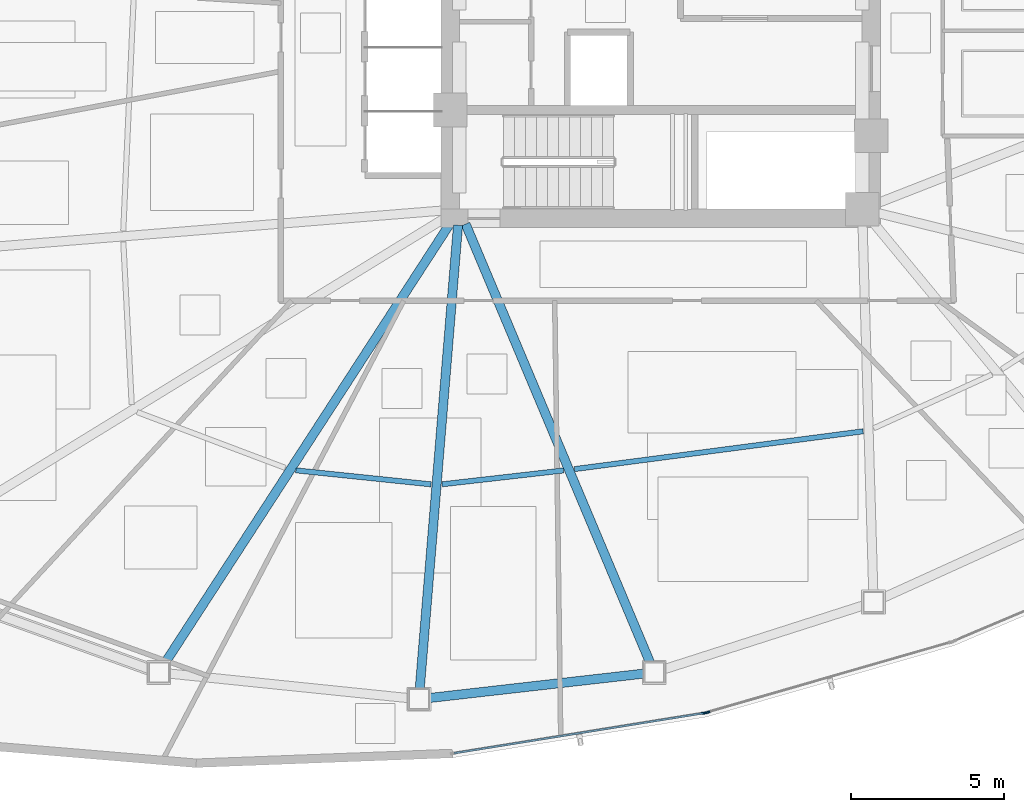
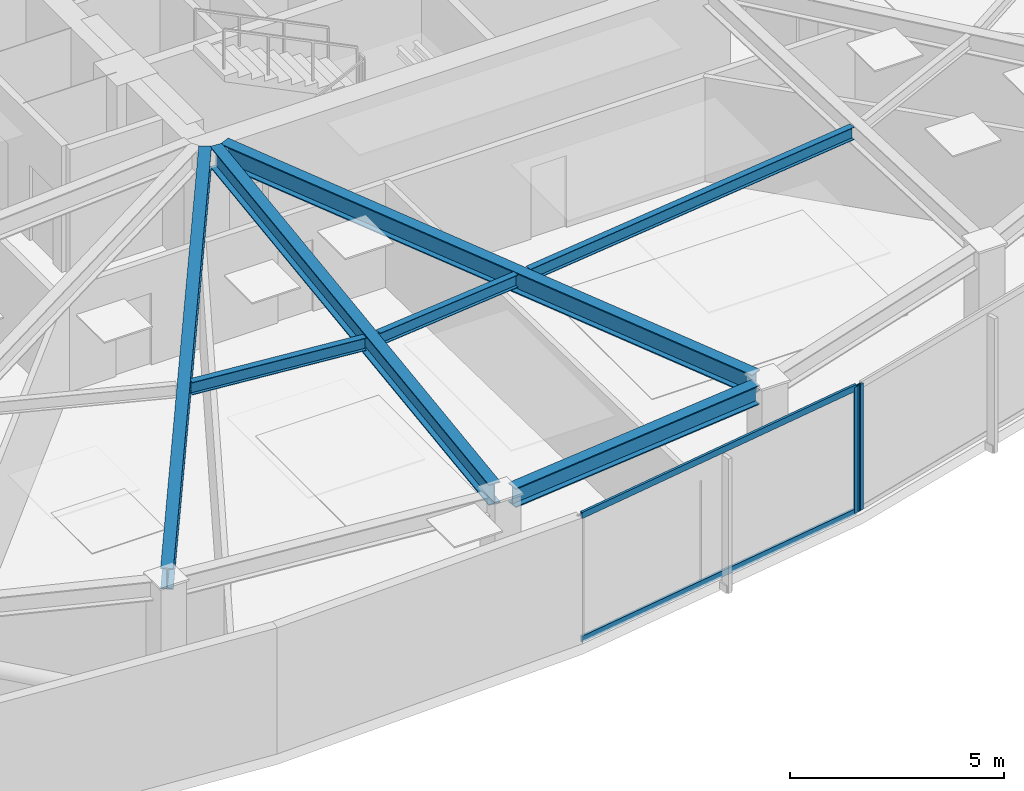
# One storey, part 3 of 17: 7 beams, 4 members, 2 elements without a shape of their own.
"""IFC4 building model written with IfcOpenShell, lengths in metres."""

from ifc_helpers import new_model, si_unit, direction, frame, origin, origin_2d, place, context, subcontext, project, spatial, hollow_rectangle, i_section, extrude, source, transform, mapped, material, layer, layer_set, material_profile, profile_set, type_object, type_shapes, element, aggregate, save


model = new_model("IFC4")

# Units and contexts
model_context = context("Model", 3, precision=1e-05, world=origin(), true_north=direction((0.0, 1.0)))
body_context = subcontext(model_context, "Body", "Model", "MODEL_VIEW")
ifc_project = project(units=[si_unit("LENGTHUNIT", "METRE"), si_unit("AREAUNIT", "SQUARE_METRE"), si_unit("VOLUMEUNIT", "CUBIC_METRE"), si_unit("PLANEANGLEUNIT", "RADIAN"), si_unit("MASSUNIT", "GRAM", prefix="KILO")], contexts=[model_context])

# Site, building, storey
site_placement = place(None, origin())
site = spatial("IfcSite", under=ifc_project, at=site_placement, CompositionType="ELEMENT")
building_placement = place(site_placement, origin())
building = spatial("IfcBuilding", under=site, at=building_placement, Name="Tavelor Broadcast Tower", CompositionType="ELEMENT")
storey_placement = place(building_placement, frame((0.0, 0.0, 78.300048828125)))
storey = spatial("IfcBuildingStorey", under=building, at=storey_placement, Name="L18", CompositionType="ELEMENT", Elevation=78.300048828125)

# Beams
ifc_material_1 = material(Name="Steel S355", Category="steel")
ifc_material_profile_1 = material_profile(ifc_material_1, i_section(OverallWidth=0.169921875, OverallDepth=0.360107421875, WebThickness=0.008056640625, FlangeThickness=0.0126953125, at=origin_2d()), Name="IPE 360")
ifc_profile_set_1 = profile_set([ifc_material_profile_1], Name="Steel S355")
beam_type_1 = type_object("IfcBeamType", Name="Composite Floor Joist T2 IPE 360", PredefinedType="JOIST", material=ifc_profile_set_1)
beam_1_placement = place(storey_placement, frame((38.04052734375, 30.240966796875, 3.419921875), z_axis=(0.99467108558, -0.103099134387, 0.0), x_axis=(0.103099134387, 0.99467108558, 0.0)))
element("IfcBeam", 1, at=beam_1_placement, inside=storey, type_object=beam_type_1, Name="L18 Secondary Composite Floor Joist 08", PredefinedType="JOIST", context=body_context, shape_type="SweptSolid", body=[
    extrude(i_section(OverallWidth=0.169921875, OverallDepth=0.360107421875, WebThickness=0.008056640625, FlangeThickness=0.0126953125, at=origin_2d()), origin(), (0.0, 0.0, 1.0), 4.45654296875),
])
beam_2_placement = place(storey_placement, frame((42.833251953125, 29.783203125, 3.419921875), z_axis=(0.993569155888, 0.113226906995, 0.0), x_axis=(-0.113226906995, 0.993569155888, 0.0)))
element("IfcBeam", 2, at=beam_2_placement, inside=storey, type_object=beam_type_1, Name="L18 Secondary Composite Floor Joist 09", PredefinedType="JOIST", context=body_context, shape_type="SweptSolid", body=[
    extrude(i_section(OverallWidth=0.169921875, OverallDepth=0.360107421875, WebThickness=0.008056640625, FlangeThickness=0.0126953125, at=origin_2d()), origin(), (0.0, 0.0, 1.0), 4.00634765625),
])
beam_3_placement = place(storey_placement, frame((47.173095703125, 30.281005859375, 3.419921875), z_axis=(0.991523318151, 0.129928863469, 0.0), x_axis=(-0.129928863469, 0.991523318151, 0.0)))
element("IfcBeam", 3, at=beam_3_placement, inside=storey, type_object=beam_type_1, Name="L18 Secondary Composite Floor Joist 10", PredefinedType="JOIST", context=body_context, shape_type="SweptSolid", body=[
    extrude(i_section(OverallWidth=0.169921875, OverallDepth=0.360107421875, WebThickness=0.008056640625, FlangeThickness=0.0126953125, at=origin_2d()), origin(), (0.0, 0.0, 1.0), 9.539794921875),
])
ifc_material_profile_2 = material_profile(ifc_material_1, i_section(OverallWidth=0.300048828125, OverallDepth=0.550048828125, WebThickness=0.014892578125, FlangeThickness=0.029052734375, at=origin_2d()), Name="HEB 550")
ifc_profile_set_2 = profile_set([ifc_material_profile_2], Name="Steel S355")
beam_type_2 = type_object("IfcBeamType", Name="Perimeter Spandrel Beam T2 HEB 550", PredefinedType="SPANDREL", material=ifc_profile_set_2)
beam_4_placement = place(storey_placement, frame((42.406982421875, 22.778564453125, 3.324951171875), z_axis=(0.993591905029, 0.113027104096, 0.0), x_axis=(-0.113027104096, 0.993591905029, 0.0)))
element("IfcBeam", 4, at=beam_4_placement, inside=storey, type_object=beam_type_2, Name="L18 Framed-Tube Ring Spandrel 09", PredefinedType="SPANDREL", context=body_context, shape_type="SweptSolid", body=[
    extrude(i_section(OverallWidth=0.300048828125, OverallDepth=0.550048828125, WebThickness=0.014892578125, FlangeThickness=0.029052734375, at=origin_2d()), origin(), (0.0, 0.0, 1.0), 7.09130859375),
])
ifc_material_profile_3 = material_profile(ifc_material_1, i_section(OverallWidth=0.300048828125, OverallDepth=0.60009765625, WebThickness=0.015380859375, FlangeThickness=0.030029296875, at=origin_2d()), Name="HEB 600")
ifc_profile_set_3 = profile_set([ifc_material_profile_3], Name="Steel S355")
beam_type_3 = type_object("IfcBeamType", Name="Radial Floor Girder T2 HEB 600", PredefinedType="BEAM", material=ifc_profile_set_3)
beam_5_placement = place(storey_placement, frame((43.11279296875, 38.35693359375, 3.300048828125), z_axis=(-0.544192452451, -0.838960413068, 0.0), x_axis=(0.838960413068, -0.544192452451, 0.0)))
element("IfcBeam", 5, at=beam_5_placement, inside=storey, type_object=beam_type_3, Name="L18 Radial Primary Floor Girder 08", PredefinedType="BEAM", context=body_context, shape_type="SweptSolid", body=[
    extrude(i_section(OverallWidth=0.300048828125, OverallDepth=0.60009765625, WebThickness=0.015380859375, FlangeThickness=0.030029296875, at=origin_2d()), origin(), (0.0, 0.0, 1.0), 17.235107421875),
])
beam_6_placement = place(storey_placement, frame((43.3564453125, 38.273681640625, 3.300048828125), z_axis=(-0.082335312762, -0.996604684051, 0.0), x_axis=(0.996604684051, -0.082335312762, 0.0)))
element("IfcBeam", 6, at=beam_6_placement, inside=storey, type_object=beam_type_3, Name="L18 Radial Primary Floor Girder 09", PredefinedType="BEAM", context=body_context, shape_type="SweptSolid", body=[
    extrude(i_section(OverallWidth=0.300048828125, OverallDepth=0.60009765625, WebThickness=0.015380859375, FlangeThickness=0.030029296875, at=origin_2d()), origin(), (0.0, 0.0, 1.0), 15.25),
])
beam_7_placement = place(storey_placement, frame((43.604736328125, 38.313232421875, 3.300048828125), z_axis=(0.387755556571, -0.921762240683, 0.0), x_axis=(0.921762240683, 0.387755556571, 0.0)))
element("IfcBeam", 7, at=beam_7_placement, inside=storey, type_object=beam_type_3, Name="L18 Radial Primary Floor Girder 10", PredefinedType="BEAM", context=body_context, shape_type="SweptSolid", body=[
    extrude(i_section(OverallWidth=0.300048828125, OverallDepth=0.60009765625, WebThickness=0.015380859375, FlangeThickness=0.030029296875, at=origin_2d()), origin(), (0.0, 0.0, 1.0), 15.6064453125),
])

# Curtain wall, member
ifc_material_2 = material(Name="Architectural Anodized Aluminium", Category="aluminium")
ifc_layer = layer(ifc_material_2, 0.179931640625)
ifc_layer_set = layer_set([ifc_layer], Name="Architectural Anodized Aluminium")
curtain_wall_type = type_object("IfcCurtainWallType", Name="Tower Low-Zone Unitised Curtain Wall CW02", PredefinedType="NOTDEFINED", material=ifc_layer_set)
curtain_wall_1_placement = place(storey_placement, origin())
curtain_wall_1 = element("IfcCurtainWall", 8, at=curtain_wall_1_placement, inside=storey, type_object=curtain_wall_type, Name="L18 Curtain Wall CW02 Run 173", PredefinedType="NOTDEFINED")
ifc_material_profile_4 = material_profile(ifc_material_2, hollow_rectangle(XDim=0.06494140625, YDim=0.179931640625, WallThickness=0.02197265625, at=origin_2d()), Name="RHS 65x180x22")
ifc_profile_set_4 = profile_set([ifc_material_profile_4], Name="Architectural Anodized Aluminium")
member_type_1 = type_object("IfcMemberType", Name="CW02 Extruded Aluminium Mullion 65x180", PredefinedType="MULLION", material=ifc_profile_set_4)
shared_shape_1 = source(origin(), body_context, "Body", "SweptSolid", [
    extrude(hollow_rectangle(XDim=0.06494140625, YDim=0.179931640625, WallThickness=0.02197265625, at=origin_2d()), origin(), (0.0, 0.0, 1.0), 3.599853515625),
])
type_shapes(member_type_1, [shared_shape_1])
member_1_placement = place(storey_placement, frame((51.42822265625, 22.287109375, 0.0), z_axis=(0.0, 0.0, 1.0), x_axis=(-0.15858898162, 0.987344689006, 0.0)))
member_1 = element("IfcMember", 9, at=member_1_placement, type_object=member_type_1, Name="CW02 mullion 2", PredefinedType="MULLION", context=body_context, shape_type="MappedRepresentation", body=[
    mapped(shared_shape_1, transform((0.0, 0.0, 0.0), scale=1.0)),
])

curtain_wall_2_placement = place(storey_placement, origin())
curtain_wall_2 = element("IfcCurtainWall", 10, at=curtain_wall_2_placement, inside=storey, type_object=curtain_wall_type, Name="L18 Curtain Wall CW02 Run 174", PredefinedType="NOTDEFINED")
member_2_placement = place(storey_placement, frame((51.520751953125, 22.307861328125, 0.0), z_axis=(0.0, 0.0, 1.0), x_axis=(-0.276892586143, 0.960900877166, 0.0)))
member_2 = element("IfcMember", 11, at=member_2_placement, type_object=member_type_1, Name="CW02 mullion 1", PredefinedType="MULLION", context=body_context, shape_type="MappedRepresentation", body=[
    mapped(shared_shape_1, transform((0.0, 0.0, 0.0), scale=1.0)),
])
aggregate(curtain_wall_2, [member_2])

# Member
ifc_material_profile_5 = material_profile(ifc_material_2, hollow_rectangle(XDim=0.06494140625, YDim=0.179931640625, WallThickness=0.02197265625, at=origin_2d()), Name="RHS 65x180x22")
ifc_profile_set_5 = profile_set([ifc_material_profile_5], Name="Architectural Anodized Aluminium")
member_type_2 = type_object("IfcMemberType", Name="CW02 Extruded Aluminium Transom 65x180", PredefinedType="USERDEFINED", material=ifc_profile_set_5)
shared_shape_2 = source(origin(), body_context, "Body", "SweptSolid", [
    extrude(hollow_rectangle(XDim=0.06494140625, YDim=0.179931640625, WallThickness=0.02197265625, at=origin_2d()), origin(), (0.0, 0.0, 1.0), 8.269775390625),
])
type_shapes(member_type_2, [shared_shape_2])
member_3_placement = place(storey_placement, frame((43.231201171875, 20.970458984375, 0.032470703125), z_axis=(0.987343912883, 0.158593813539, 0.0), x_axis=(-0.158593813539, 0.987343912883, 0.0)))
member_3 = element("IfcMember", 12, at=member_3_placement, type_object=member_type_2, Name="CW02 transom 1.1", ObjectType="TRANSOM", PredefinedType="USERDEFINED", context=body_context, shape_type="MappedRepresentation", body=[
    mapped(shared_shape_2, transform((0.0, 0.0, 0.0), scale=1.0)),
])

member_4_placement = place(storey_placement, frame((43.231201171875, 20.970458984375, 3.5673828125), z_axis=(0.987343912883, 0.158593813539, 0.0), x_axis=(-0.158593813539, 0.987343912883, 0.0)))
member_4 = element("IfcMember", 13, at=member_4_placement, type_object=member_type_2, Name="CW02 transom 1.2", ObjectType="TRANSOM", PredefinedType="USERDEFINED", context=body_context, shape_type="MappedRepresentation", body=[
    mapped(shared_shape_2, transform((0.0, 0.0, 0.0), scale=1.0)),
])

aggregate(curtain_wall_1, [member_1, member_3, member_4])

save(model, "model.ifc")
